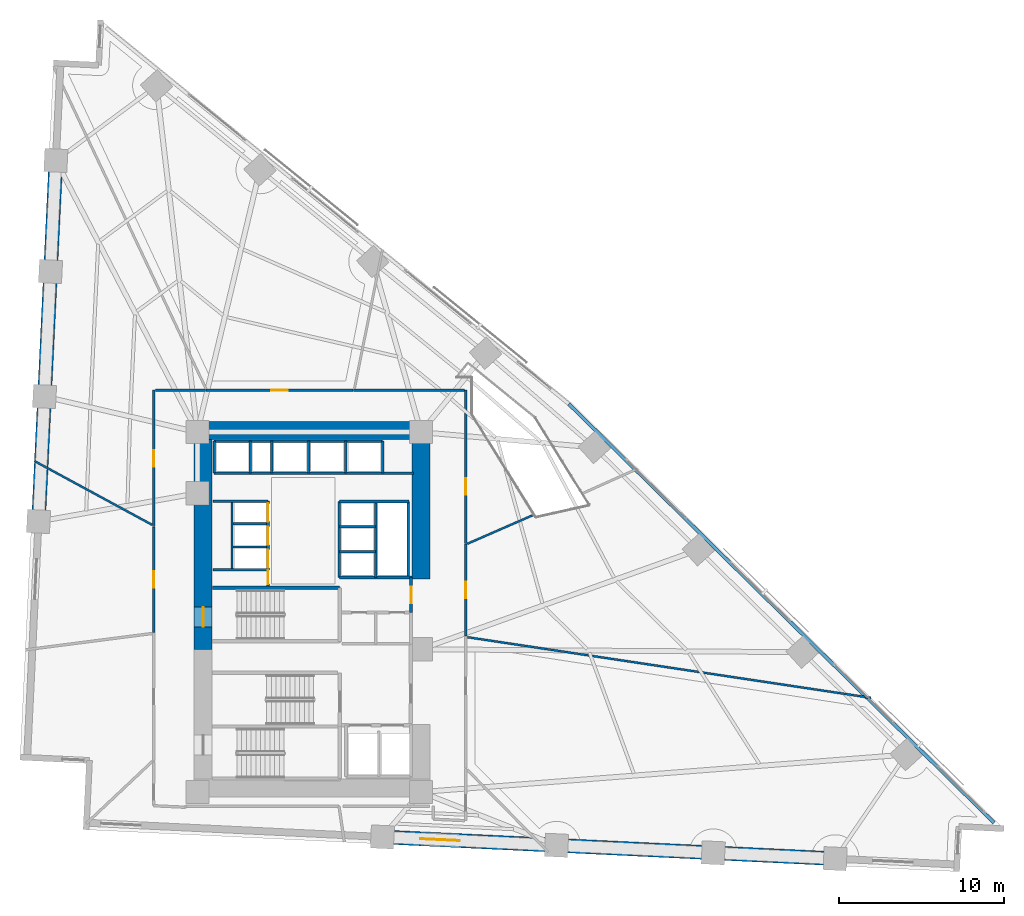
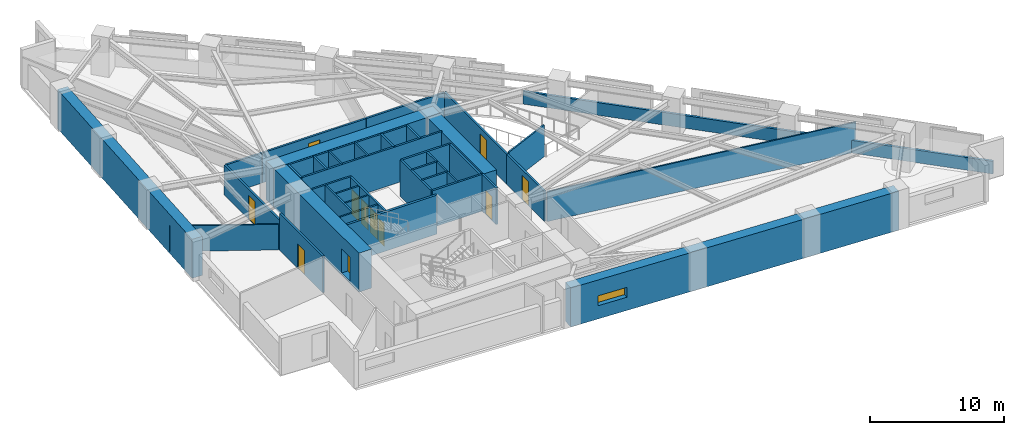
# One storey, part 14 of 17: 40 walls, 11 doors, 1 window, 12 openings.
"""IFC4 building model written with IfcOpenShell, lengths in metres."""

from ifc_helpers import new_model, si_unit, direction, frame, frame_2d, origin, place, context, subcontext, project, spatial, rectangle, extrude, material, layer, layer_set, type_object, element, fill, save


model = new_model("IFC4")

# Units and contexts
model_context = context("Model", 3, precision=1e-05, world=origin(), true_north=direction((0.0, 1.0)))
body_context = subcontext(model_context, "Body", "Model", "MODEL_VIEW")
ifc_project = project(units=[si_unit("LENGTHUNIT", "METRE"), si_unit("AREAUNIT", "SQUARE_METRE"), si_unit("VOLUMEUNIT", "CUBIC_METRE"), si_unit("PLANEANGLEUNIT", "RADIAN"), si_unit("MASSUNIT", "GRAM", prefix="KILO")], contexts=[model_context])

# Site, building, storey
site_placement = place(None, origin())
site = spatial("IfcSite", under=ifc_project, at=site_placement, CompositionType="ELEMENT")
building_placement = place(site_placement, origin())
building = spatial("IfcBuilding", under=site, at=building_placement, Name="Narakoshi Arena Tower", CompositionType="ELEMENT")
storey_placement = place(building_placement, frame((0.0, 0.0, 33.89990234375)))
storey = spatial("IfcBuildingStorey", under=building, at=storey_placement, Name="L08", CompositionType="ELEMENT", Elevation=33.89990234375)

# Wall, opening, door
ifc_material_1 = material(Name="Concrete C60/75", Category="concrete")
ifc_layer_1 = layer(ifc_material_1, 1.10009765625)
ifc_layer_set_1 = layer_set([ifc_layer_1], Name="Concrete C60/75")
wall_type_1 = type_object("IfcWallType", Name="WL-CORE-1100", PredefinedType="SHEAR", material=ifc_layer_set_1)
wall_1_placement = place(storey_placement, frame((72.35009765625, 43.35009765625, -0.199951171875), z_axis=(0.0, 0.0, 1.0), x_axis=(0.0, 1.0, 0.0)))
wall_1 = element("IfcWall", 1, at=wall_1_placement, inside=storey, type_object=wall_type_1, Name="L08 Main Core Shear Wall CW-MN-W", PredefinedType="SHEAR", context=body_context, shape_type="SweptSolid", body=[
    extrude(rectangle(XDim=12.699951171875, YDim=1.10009765625, at=frame_2d((6.35009765625, 0.0))), origin(), (0.0, 0.0, 1.0), 3.5400390625),
])
opening_1_placement = place(wall_1_placement, frame((1.35009765625, 0.0, 0.199951171875)))
opening_1 = element("IfcOpeningElement", 2, at=opening_1_placement, cuts=wall_1, Name="Opening D-03", PredefinedType="OPENING", context=body_context, shape_type="SweptSolid", body=[
    extrude(rectangle(XDim=1.199951171875, YDim=2.199951171875, at=frame_2d((0.60009765625, 1.10009765625))), frame((0.0, 0.56005859375, 0.0), z_axis=(0.0, -1.0, 0.0), x_axis=(1.0, 0.0, 0.0)), (0.0, 0.0, 1.0), 1.1201171875),
])
ifc_material_2 = material(Name="Painted galvanized steel", Category="steel")
door_type_1 = type_object("IfcDoorType", Name="DR-STR-1200", OperationType="NOTDEFINED", PredefinedType="USERDEFINED", material=ifc_material_2)
door_1_placement = place(opening_1_placement, frame((1.199951171875, 0.0, 0.0), z_axis=(0.0, 0.0, 1.0), x_axis=(-1.0, 0.0, 0.0)))
door_1 = element("IfcDoor", 3, at=door_1_placement, inside=storey, type_object=door_type_1, Name="DR-L08-006", ObjectType="EXITDOOR", OperationType="SINGLE_SWING_LEFT", OverallHeight=2.199951171875, OverallWidth=1.199951171875, PredefinedType="USERDEFINED", context=body_context, shape_type="SweptSolid", body=[
    extrude(rectangle(XDim=1.199951171875, YDim=2.199951171875, at=frame_2d((0.60009765625, 1.10009765625))), frame((0.0, 0.02490234375, 0.0), z_axis=(0.0, -1.0, 0.0), x_axis=(1.0, 0.0, 0.0)), (0.0, 0.0, 1.0), 0.050048828125),
])
fill(opening_1, door_1)

# Walls
wall_2_placement = place(storey_placement, frame((71.800048828125, 56.60009765625, -0.199951171875), z_axis=(0.0, 0.0, 1.0), x_axis=(1.0, 0.0, 0.0)))
element("IfcWall", 4, at=wall_2_placement, inside=storey, type_object=wall_type_1, Name="L08 Main Core Shear Wall CW-MN-N", PredefinedType="SHEAR", context=body_context, shape_type="SweptSolid", body=[
    extrude(rectangle(XDim=14.300048828125, YDim=1.10009765625, at=frame_2d((7.14990234375, 0.0))), origin(), (0.0, 0.0, 1.0), 3.5400390625),
])
wall_3_placement = place(storey_placement, frame((85.550048828125, 47.60009765625, -0.199951171875), z_axis=(0.0, 0.0, 1.0), x_axis=(0.0, 1.0, 0.0)))
element("IfcWall", 5, at=wall_3_placement, inside=storey, type_object=wall_type_1, Name="L08 Main Core Shear Wall CW-MN-E", PredefinedType="SHEAR", context=body_context, shape_type="SweptSolid", body=[
    extrude(rectangle(XDim=8.449951171875, YDim=1.10009765625, at=frame_2d((4.22509765625, 0.0))), origin(), (0.0, 0.0, 1.0), 3.5400390625),
])

# Wall, opening, door
ifc_material_3 = material(Name="Gypsum plasterboard fire-rated partition")
ifc_layer_2 = layer(ifc_material_3, 0.1650390625)
ifc_layer_set_2 = layer_set([ifc_layer_2], Name="Gypsum plasterboard fire-rated partition")
wall_type_2 = type_object("IfcWallType", Name="WL-CORR-165", PredefinedType="PARTITIONING", material=ifc_layer_set_2)
wall_4_placement = place(storey_placement, frame((84.949951171875, 45.580078125, 0.0), z_axis=(0.0, 0.0, 1.0), x_axis=(0.0, 1.0, 0.0)))
wall_4 = element("IfcWall", 6, at=wall_4_placement, inside=storey, type_object=wall_type_2, Name="L08 Core Wall CPAS-E", PredefinedType="PARTITIONING", context=body_context, shape_type="SweptSolid", body=[
    extrude(rectangle(XDim=2.119873046875, YDim=0.1650390625, at=frame_2d((1.06005859375, 0.0))), origin(), (0.0, 0.0, 1.0), 3.340087890625),
])
opening_2_placement = place(wall_4_placement, frame((0.56005859375, 0.0, 0.0)))
opening_2 = element("IfcOpeningElement", 7, at=opening_2_placement, cuts=wall_4, Name="Opening D-06", PredefinedType="OPENING", context=body_context, shape_type="SweptSolid", body=[
    extrude(rectangle(XDim=1.0, YDim=2.199951171875, at=frame_2d((0.5, 1.10009765625))), frame((0.0, 0.092529296875, 0.0), z_axis=(0.0, -1.0, 0.0), x_axis=(1.0, 0.0, 0.0)), (0.0, 0.0, 1.0), 0.18505859375),
])
ifc_material_4 = material(Name="Stained oak solid-core timber", Category="wood")
door_type_2 = type_object("IfcDoorType", Name="DR-OFF-1000", OperationType="NOTDEFINED", PredefinedType="DOOR", material=ifc_material_4)
door_2_placement = place(opening_2_placement, frame((1.0, 0.0, 0.0), z_axis=(0.0, 0.0, 1.0), x_axis=(-1.0, 0.0, 0.0)))
door_2 = element("IfcDoor", 8, at=door_2_placement, inside=storey, type_object=door_type_2, Name="DR-L08-007", OperationType="SINGLE_SWING_LEFT", OverallHeight=2.199951171875, OverallWidth=1.0, PredefinedType="DOOR", context=body_context, shape_type="SweptSolid", body=[
    extrude(rectangle(XDim=1.0, YDim=2.199951171875, at=frame_2d((0.5, 1.10009765625))), frame((0.0, 0.02490234375, 0.0), z_axis=(0.0, -1.0, 0.0), x_axis=(1.0, 0.0, 0.0)), (0.0, 0.0, 1.0), 0.050048828125),
])
fill(opening_2, door_2)

wall_5_placement = place(storey_placement, frame((88.265625, 44.1552734375, 0.0), z_axis=(0.0, 0.0, 1.0), x_axis=(0.0, 1.0, 0.0)))
wall_5 = element("IfcWall", 9, at=wall_5_placement, inside=storey, type_object=wall_type_2, Name="L08 Corridor Partition 05-1", PredefinedType="PARTITIONING", context=body_context, shape_type="SweptSolid", body=[
    extrude(rectangle(XDim=5.576904296875, YDim=0.1650390625, at=frame_2d((2.78857421875, 0.0))), origin(), (0.0, 0.0, 1.0), 2.72509765625),
])
opening_3_placement = place(wall_5_placement, frame((2.28857421875, 0.0, 0.0)))
opening_3 = element("IfcOpeningElement", 10, at=opening_3_placement, cuts=wall_5, Name="Opening D-06", PredefinedType="OPENING", context=body_context, shape_type="SweptSolid", body=[
    extrude(rectangle(XDim=1.0, YDim=2.199951171875, at=frame_2d((0.5, 1.10009765625))), frame((0.0, 0.092529296875, 0.0), z_axis=(0.0, -1.0, 0.0), x_axis=(1.0, 0.0, 0.0)), (0.0, 0.0, 1.0), 0.18505859375),
])
door_3_placement = place(opening_3_placement, frame((1.0, 0.0, 0.0), z_axis=(0.0, 0.0, 1.0), x_axis=(-1.0, 0.0, 0.0)))
door_3 = element("IfcDoor", 11, at=door_3_placement, inside=storey, type_object=door_type_2, Name="DR-L08-018", OperationType="SINGLE_SWING_RIGHT", OverallHeight=2.199951171875, OverallWidth=1.0, PredefinedType="DOOR", context=body_context, shape_type="SweptSolid", body=[
    extrude(rectangle(XDim=1.0, YDim=2.199951171875, at=frame_2d((0.5, 1.10009765625))), frame((0.0, 0.02490234375, 0.0), z_axis=(0.0, -1.0, 0.0), x_axis=(1.0, 0.0, 0.0)), (0.0, 0.0, 1.0), 0.050048828125),
])
fill(opening_3, door_3)

wall_6_placement = place(storey_placement, frame((88.265625, 49.75830078125, 0.0), z_axis=(0.0, 0.0, 1.0), x_axis=(0.0, 1.0, 0.0)))
wall_6 = element("IfcWall", 12, at=wall_6_placement, inside=storey, type_object=wall_type_2, Name="L08 Corridor Partition 06-1", PredefinedType="PARTITIONING", context=body_context, shape_type="SweptSolid", body=[
    extrude(rectangle(XDim=9.2841796875, YDim=0.1650390625, at=frame_2d((4.64208984375, 0.0))), origin(), (0.0, 0.0, 1.0), 2.72509765625),
])
opening_4_placement = place(wall_6_placement, frame((2.95947265625, 0.0, 0.0)))
opening_4 = element("IfcOpeningElement", 13, at=opening_4_placement, cuts=wall_6, Name="Opening D-06", PredefinedType="OPENING", context=body_context, shape_type="SweptSolid", body=[
    extrude(rectangle(XDim=1.0, YDim=2.199951171875, at=frame_2d((0.5, 1.10009765625))), frame((0.0, 0.092529296875, 0.0), z_axis=(0.0, -1.0, 0.0), x_axis=(1.0, 0.0, 0.0)), (0.0, 0.0, 1.0), 0.18505859375),
])
door_4_placement = place(opening_4_placement, frame((1.0, 0.0, 0.0), z_axis=(0.0, 0.0, 1.0), x_axis=(-1.0, 0.0, 0.0)))
door_4 = element("IfcDoor", 14, at=door_4_placement, inside=storey, type_object=door_type_2, Name="DR-L08-019", OperationType="SINGLE_SWING_LEFT", OverallHeight=2.199951171875, OverallWidth=1.0, PredefinedType="DOOR", context=body_context, shape_type="SweptSolid", body=[
    extrude(rectangle(XDim=1.0, YDim=2.199951171875, at=frame_2d((0.5, 1.10009765625))), frame((0.0, 0.02490234375, 0.0), z_axis=(0.0, -1.0, 0.0), x_axis=(1.0, 0.0, 0.0)), (0.0, 0.0, 1.0), 0.050048828125),
])
fill(opening_4, door_4)

# Wall
wall_7_placement = place(storey_placement, frame((88.171142578125, 59.04248046875, 0.0), z_axis=(0.0, 0.0, 1.0), x_axis=(-1.0, 0.0, 0.0)))
element("IfcWall", 15, at=wall_7_placement, inside=storey, type_object=wall_type_2, Name="L08 Corridor Partition 06-2", PredefinedType="PARTITIONING", context=body_context, shape_type="SweptSolid", body=[
    extrude(rectangle(XDim=6.70947265625, YDim=0.1650390625, at=frame_2d((3.354736328125, 0.0))), origin(), (0.0, 0.0, 1.0), 2.72509765625),
])

# Wall, opening, door
wall_8_placement = place(storey_placement, frame((81.437255859375, 59.04248046875, 0.0), z_axis=(0.0, 0.0, 1.0), x_axis=(-1.0, 0.0, 0.0)))
wall_8 = element("IfcWall", 16, at=wall_8_placement, inside=storey, type_object=wall_type_2, Name="L08 Corridor Partition 07-1", PredefinedType="PARTITIONING", context=body_context, shape_type="SweptSolid", body=[
    extrude(rectangle(XDim=8.90673828125, YDim=0.1650390625, at=frame_2d((4.453369140625, 0.0))), origin(), (0.0, 0.0, 1.0), 2.72509765625),
])
opening_5_placement = place(wall_8_placement, frame((3.953369140625, 0.0, 0.0)))
opening_5 = element("IfcOpeningElement", 17, at=opening_5_placement, cuts=wall_8, Name="Opening D-06", PredefinedType="OPENING", context=body_context, shape_type="SweptSolid", body=[
    extrude(rectangle(XDim=1.0, YDim=2.199951171875, at=frame_2d((0.5, 1.10009765625))), frame((0.0, 0.092529296875, 0.0), z_axis=(0.0, -1.0, 0.0), x_axis=(1.0, 0.0, 0.0)), (0.0, 0.0, 1.0), 0.18505859375),
])
door_5_placement = place(opening_5_placement, frame((1.0, 0.0, 0.0), z_axis=(0.0, 0.0, 1.0), x_axis=(-1.0, 0.0, 0.0)))
door_5 = element("IfcDoor", 18, at=door_5_placement, inside=storey, type_object=door_type_2, Name="DR-L08-020", OperationType="SINGLE_SWING_RIGHT", OverallHeight=2.199951171875, OverallWidth=1.0, PredefinedType="DOOR", context=body_context, shape_type="SweptSolid", body=[
    extrude(rectangle(XDim=1.0, YDim=2.199951171875, at=frame_2d((0.5, 1.10009765625))), frame((0.0, 0.02490234375, 0.0), z_axis=(0.0, -1.0, 0.0), x_axis=(1.0, 0.0, 0.0)), (0.0, 0.0, 1.0), 0.050048828125),
])
fill(opening_5, door_5)

wall_9_placement = place(storey_placement, frame((69.357421875, 59.04248046875, 0.0), z_axis=(0.0, 0.0, 1.0), x_axis=(0.0, -1.0, 0.0)))
wall_9 = element("IfcWall", 19, at=wall_9_placement, inside=storey, type_object=wall_type_2, Name="L08 Corridor Partition 08-1", PredefinedType="PARTITIONING", context=body_context, shape_type="SweptSolid", body=[
    extrude(rectangle(XDim=8.24853515625, YDim=0.1650390625, at=frame_2d((4.124267578125, 0.0))), origin(), (0.0, 0.0, 1.0), 2.72509765625),
])
opening_6_placement = place(wall_9_placement, frame((3.624267578125, 0.0, 0.0)))
opening_6 = element("IfcOpeningElement", 20, at=opening_6_placement, cuts=wall_9, Name="Opening D-06", PredefinedType="OPENING", context=body_context, shape_type="SweptSolid", body=[
    extrude(rectangle(XDim=1.0, YDim=2.199951171875, at=frame_2d((0.5, 1.10009765625))), frame((0.0, 0.092529296875, 0.0), z_axis=(0.0, -1.0, 0.0), x_axis=(1.0, 0.0, 0.0)), (0.0, 0.0, 1.0), 0.18505859375),
])
door_6_placement = place(opening_6_placement, frame((1.0, 0.0, 0.0), z_axis=(0.0, 0.0, 1.0), x_axis=(-1.0, 0.0, 0.0)))
door_6 = element("IfcDoor", 21, at=door_6_placement, inside=storey, type_object=door_type_2, Name="DR-L08-021", OperationType="SINGLE_SWING_LEFT", OverallHeight=2.199951171875, OverallWidth=1.0, PredefinedType="DOOR", context=body_context, shape_type="SweptSolid", body=[
    extrude(rectangle(XDim=1.0, YDim=2.199951171875, at=frame_2d((0.5, 1.10009765625))), frame((0.0, 0.02490234375, 0.0), z_axis=(0.0, -1.0, 0.0), x_axis=(1.0, 0.0, 0.0)), (0.0, 0.0, 1.0), 0.050048828125),
])
fill(opening_6, door_6)

# Wall
wall_10_placement = place(storey_placement, frame((72.504150390625, 59.04248046875, 0.0), z_axis=(0.0, 0.0, 1.0), x_axis=(-1.0, 0.0, 0.0)))
element("IfcWall", 22, at=wall_10_placement, inside=storey, type_object=wall_type_2, Name="L08 Corridor Partition 08-2", PredefinedType="PARTITIONING", context=body_context, shape_type="SweptSolid", body=[
    extrude(rectangle(XDim=3.05224609375, YDim=0.1650390625, at=frame_2d((1.526123046875, 0.0))), origin(), (0.0, 0.0, 1.0), 2.72509765625),
])

# Wall, opening, door
wall_11_placement = place(storey_placement, frame((69.357421875, 50.7666015625, 0.0), z_axis=(0.0, 0.0, 1.0), x_axis=(0.0, -1.0, 0.0)))
wall_11 = element("IfcWall", 23, at=wall_11_placement, inside=storey, type_object=wall_type_2, Name="L08 Corridor Partition 09-1", PredefinedType="PARTITIONING", context=body_context, shape_type="SweptSolid", body=[
    extrude(rectangle(XDim=6.38916015625, YDim=0.1650390625, at=frame_2d((3.194580078125, 0.0))), origin(), (0.0, 0.0, 1.0), 3.340087890625),
])
opening_7_placement = place(wall_11_placement, frame((2.694580078125, 0.0, 0.0)))
opening_7 = element("IfcOpeningElement", 24, at=opening_7_placement, cuts=wall_11, Name="Opening D-06", PredefinedType="OPENING", context=body_context, shape_type="SweptSolid", body=[
    extrude(rectangle(XDim=1.0, YDim=2.199951171875, at=frame_2d((0.5, 1.10009765625))), frame((0.0, 0.092529296875, 0.0), z_axis=(0.0, -1.0, 0.0), x_axis=(1.0, 0.0, 0.0)), (0.0, 0.0, 1.0), 0.18505859375),
])
door_7_placement = place(opening_7_placement, frame((1.0, 0.0, 0.0), z_axis=(0.0, 0.0, 1.0), x_axis=(-1.0, 0.0, 0.0)))
door_7 = element("IfcDoor", 25, at=door_7_placement, inside=storey, type_object=door_type_2, Name="DR-L08-022", OperationType="SINGLE_SWING_RIGHT", OverallHeight=2.199951171875, OverallWidth=1.0, PredefinedType="DOOR", context=body_context, shape_type="SweptSolid", body=[
    extrude(rectangle(XDim=1.0, YDim=2.199951171875, at=frame_2d((0.5, 1.10009765625))), frame((0.0, 0.02490234375, 0.0), z_axis=(0.0, -1.0, 0.0), x_axis=(1.0, 0.0, 0.0)), (0.0, 0.0, 1.0), 0.050048828125),
])
fill(opening_7, door_7)

# Wall, opening, window
ifc_layer_3 = layer(ifc_material_1, 0.85009765625)
ifc_layer_set_3 = layer_set([ifc_layer_3], Name="Concrete C60/75")
wall_type_3 = type_object("IfcWallType", Name="WL-LEG-850", PredefinedType="SHEAR", material=ifc_layer_set_3)
wall_12_placement = place(storey_placement, frame((83.2119140625, 31.979248046875, -0.199951171875), z_axis=(0.0, 0.0, 1.0), x_axis=(0.998848235141, -0.047981279227, 0.0)))
wall_12 = element("IfcWall", 26, at=wall_12_placement, inside=storey, type_object=wall_type_3, Name="L08 Architectural Concrete Structural Wall LEGA-2", PredefinedType="SHEAR", context=body_context, shape_type="SweptSolid", body=[
    extrude(rectangle(XDim=27.456298828125, YDim=0.85009765625, at=frame_2d((13.72802734375, 0.0))), origin(), (0.0, 0.0, 1.0), 3.5400390625),
])
opening_8_placement = place(wall_12_placement, frame((2.300048828125, 0.0, 1.199951171875)))
opening_8 = element("IfcOpeningElement", 27, at=opening_8_placement, cuts=wall_12, Name="Opening WN-01", PredefinedType="OPENING", context=body_context, shape_type="SweptSolid", body=[
    extrude(rectangle(XDim=2.39990234375, YDim=0.89990234375, at=frame_2d((1.199951171875, 0.449951171875))), frame((0.0, 0.43505859375, 0.0), z_axis=(0.0, -1.0, 0.0), x_axis=(1.0, 0.0, 0.0)), (0.0, 0.0, 1.0), 0.8701171875),
])
ifc_material_5 = material(Name="Bronze-tinted low-E laminated glass", Category="glass")
window_type = type_object("IfcWindowType", Name="WIN-SLT-24x09", PartitioningType="SINGLE_PANEL", PredefinedType="WINDOW", material=ifc_material_5)
window_placement = place(opening_8_placement, origin())
window = element("IfcWindow", 28, at=window_placement, inside=storey, type_object=window_type, Name="L08 LEGA2 Horizontal Slot Window 1", OverallHeight=0.89990234375, OverallWidth=2.39990234375, PartitioningType="SINGLE_PANEL", PredefinedType="WINDOW", context=body_context, shape_type="SweptSolid", body=[
    extrude(rectangle(XDim=2.39990234375, YDim=0.89990234375, at=frame_2d((1.199951171875, 0.449951171875))), frame((0.0, 0.030029296875, 0.0), z_axis=(0.0, -1.0, 0.0), x_axis=(1.0, 0.0, 0.0)), (0.0, 0.0, 1.0), 0.06005859375),
])
fill(opening_8, window)

# Walls
wall_13_placement = place(storey_placement, frame((63.42822265625, 72.95654296875, -0.199951171875), z_axis=(0.0, 0.0, 1.0), x_axis=(-0.047976309476, -0.998848473858, 0.0)))
element("IfcWall", 29, at=wall_13_placement, inside=storey, type_object=wall_type_3, Name="L08 Architectural Concrete Structural Wall LEGB-2", PredefinedType="SHEAR", context=body_context, shape_type="SweptSolid", body=[
    extrude(rectangle(XDim=21.891845703125, YDim=0.85009765625, at=frame_2d((10.94580078125, 0.0))), origin(), (0.0, 0.0, 1.0), 3.5400390625),
])
ifc_material_6 = material(Name="Precast concrete C45/55", Category="concrete")
ifc_layer_4 = layer(ifc_material_6, 0.25)
ifc_layer_set_4 = layer_set([ifc_layer_4], Name="Precast concrete C45/55")
wall_type_4 = type_object("IfcWallType", Name="WL-PARA-250", PredefinedType="PARAPET", material=ifc_layer_set_4)
wall_14_placement = place(storey_placement, frame((120.254150390625, 32.847900390625, 0.0), z_axis=(0.0, 0.0, 1.0), x_axis=(-0.71254385441, 0.701627576099, 0.0)))
element("IfcWall", 30, at=wall_14_placement, inside=storey, type_object=wall_type_4, Name="L08 Hypotenuse Sill Upstand Parapet 1-01", PredefinedType="PARAPET", context=body_context, shape_type="SweptSolid", body=[
    extrude(rectangle(XDim=36.1416015625, YDim=0.199951171875, at=frame_2d((18.07080078125, 0.0))), origin(), (0.0, 0.0, 1.0), 1.150146484375),
])
ifc_layer_5 = layer(ifc_material_3, 0.125)
ifc_layer_set_5 = layer_set([ifc_layer_5], Name="Gypsum plasterboard fire-rated partition")
wall_type_5 = type_object("IfcWallType", Name="WL-PART-125", PredefinedType="PARTITIONING", material=ifc_layer_set_5)
wall_15_placement = place(storey_placement, frame((88.360107421875, 44.080322265625, 0.0), z_axis=(0.0, 0.0, 1.0), x_axis=(0.988906339376, -0.148540405084, 0.0)))
element("IfcWall", 31, at=wall_15_placement, inside=storey, type_object=wall_type_5, Name="L08 Inter-Room Partition 04-05", PredefinedType="PARTITIONING", context=body_context, shape_type="SweptSolid", body=[
    extrude(rectangle(XDim=24.718017578125, YDim=0.125, at=frame_2d((12.35888671875, 0.0))), origin(), (0.0, 0.0, 1.0), 2.72509765625),
])
wall_16_placement = place(storey_placement, frame((88.343017578125, 49.732177734375, 0.0), z_axis=(0.0, 0.0, 1.0), x_axis=(0.916407797911, 0.40024585935, 0.0)))
element("IfcWall", 32, at=wall_16_placement, inside=storey, type_object=wall_type_5, Name="L08 Inter-Room Partition 05-06", PredefinedType="PARTITIONING", context=body_context, shape_type="SweptSolid", body=[
    extrude(rectangle(XDim=4.404052734375, YDim=0.125, at=frame_2d((2.2021484375, 0.0))), origin(), (0.0, 0.0, 1.0), 2.875),
])
wall_17_placement = place(storey_placement, frame((69.262939453125, 50.88623046875, 0.0), z_axis=(0.0, 0.0, 1.0), x_axis=(-0.879129707002, 0.47658258284, 0.0)))
element("IfcWall", 33, at=wall_17_placement, inside=storey, type_object=wall_type_5, Name="L08 Inter-Room Partition 08-09", PredefinedType="PARTITIONING", context=body_context, shape_type="SweptSolid", body=[
    extrude(rectangle(XDim=8.115478515625, YDim=0.125, at=frame_2d((4.0576171875, 0.0))), origin(), (0.0, 0.0, 1.0), 2.3251953125),
])
ifc_material_7 = material(Name="Concrete C40/50", Category="concrete")
ifc_layer_6 = layer(ifc_material_7, 0.280029296875)
ifc_layer_set_6 = layer_set([ifc_layer_6], Name="Concrete C40/50")
wall_type_6 = type_object("IfcWallType", Name="WL-RISER-280", PredefinedType="PLUMBINGWALL", material=ifc_layer_set_6)
wall_18_placement = place(storey_placement, frame((72.949951171875, 48.159912109375, 0.0), z_axis=(0.0, 0.0, 1.0), x_axis=(1.0, 0.0, 0.0)))
element("IfcWall", 34, at=wall_18_placement, inside=storey, type_object=wall_type_6, Name="L08 Core Wall LR-S0", PredefinedType="PLUMBINGWALL", context=body_context, shape_type="SweptSolid", body=[
    extrude(rectangle(XDim=3.239990234375, YDim=0.139892578125, at=frame_2d((1.6201171875, 0.0))), origin(), (0.0, 0.0, 1.0), 3.340087890625),
])
for number, where, z_axis, x_axis, name in (
    (35, (74.14990234375, 49.550048828125, 0.0), (0.0, 0.0, 1.0), (1.0, 0.0, 0.0), "L08 Core Wall LR-D1"),
    (36, (74.14990234375, 50.949951171875, 0.0), (0.0, 0.0, 1.0), (1.0, 0.0, 0.0), "L08 Core Wall LR-D2"),
):
    element("IfcWall", number, at=place(storey_placement, frame(where, z_axis=z_axis, x_axis=x_axis)), inside=storey, type_object=wall_type_6, Name=name, PredefinedType="PLUMBINGWALL", context=body_context, shape_type="SweptSolid", body=[
        extrude(rectangle(XDim=2.0400390625, YDim=0.139892578125, at=frame_2d((1.02001953125, 0.0))), origin(), (0.0, 0.0, 1.0), 3.340087890625),
    ])
wall_19_placement = place(storey_placement, frame((74.10009765625, 48.159912109375, 0.0), z_axis=(0.0, 0.0, 1.0), x_axis=(0.0, 1.0, 0.0)))
element("IfcWall", 37, at=wall_19_placement, inside=storey, type_object=wall_type_6, Name="L08 Core Wall LR-W", PredefinedType="PLUMBINGWALL", context=body_context, shape_type="SweptSolid", body=[
    extrude(rectangle(XDim=4.16015625, YDim=0.139892578125, at=frame_2d((2.080078125, 0.0))), origin(), (0.0, 0.0, 1.0), 3.340087890625),
])
for number, where, z_axis, x_axis, name in (
    (38, (80.60009765625, 49.260009765625, 0.0), (0.0, 0.0, 1.0), (1.0, 0.0, 0.0), "L08 Core Wall MR-D1"),
    (39, (80.60009765625, 50.780029296875, 0.0), (0.0, 0.0, 1.0), (1.0, 0.0, 0.0), "L08 Core Wall MR-D2"),
):
    element("IfcWall", number, at=place(storey_placement, frame(where, z_axis=z_axis, x_axis=x_axis)), inside=storey, type_object=wall_type_6, Name=name, PredefinedType="PLUMBINGWALL", context=body_context, shape_type="SweptSolid", body=[
        extrude(rectangle(XDim=2.199951171875, YDim=0.14990234375, at=frame_2d((1.10009765625, 0.0))), origin(), (0.0, 0.0, 1.0), 3.340087890625),
    ])
wall_20_placement = place(storey_placement, frame((82.800048828125, 47.699951171875, 0.0), z_axis=(0.0, 0.0, 1.0), x_axis=(0.0, 1.0, 0.0)))
element("IfcWall", 40, at=wall_20_placement, inside=storey, type_object=wall_type_6, Name="L08 Core Wall MR-E", PredefinedType="PLUMBINGWALL", context=body_context, shape_type="SweptSolid", body=[
    extrude(rectangle(XDim=4.60009765625, YDim=0.14990234375, at=frame_2d((2.300048828125, 0.0))), origin(), (0.0, 0.0, 1.0), 3.340087890625),
])
for number, where, z_axis, x_axis, name in (
    (41, (73.02001953125, 54.02001953125, 0.0), (0.0, 0.0, 1.0), (0.0, 1.0, 0.0), "L08 Core Wall OBS-W"),
    (42, (75.219970703125, 54.02001953125, 0.0), (0.0, 0.0, 1.0), (0.0, 1.0, 0.0), "L08 Core Wall OBS-M"),
):
    element("IfcWall", number, at=place(storey_placement, frame(where, z_axis=z_axis, x_axis=x_axis)), inside=storey, type_object=wall_type_6, Name=name, PredefinedType="PLUMBINGWALL", context=body_context, shape_type="SweptSolid", body=[
        extrude(rectangle(XDim=1.93994140625, YDim=0.14990234375, at=frame_2d((0.969970703125, 0.0))), origin(), (0.0, 0.0, 1.0), 3.340087890625),
    ])
for number, where, z_axis, x_axis, name in (
    (43, (78.75, 54.02001953125, 0.0), (0.0, 0.0, 1.0), (0.0, 1.0, 0.0), "L08 Core Wall HR-D1"),
    (44, (81.0, 54.02001953125, 0.0), (0.0, 0.0, 1.0), (0.0, 1.0, 0.0), "L08 Core Wall HR-D2"),
):
    element("IfcWall", number, at=place(storey_placement, frame(where, z_axis=z_axis, x_axis=x_axis)), inside=storey, type_object=wall_type_6, Name=name, PredefinedType="PLUMBINGWALL", context=body_context, shape_type="SweptSolid", body=[
        extrude(rectangle(XDim=1.9599609375, YDim=0.14990234375, at=frame_2d((0.97998046875, 0.0))), origin(), (0.0, 0.0, 1.0), 3.340087890625),
    ])
ifc_material_8 = material(Name="Concrete C50/60", Category="concrete")
ifc_layer_7 = layer(ifc_material_8, 0.35009765625)
ifc_layer_set_7 = layer_set([ifc_layer_7], Name="Concrete C50/60")
wall_type_7 = type_object("IfcWallType", Name="WL-SHAFT-350", PredefinedType="SOLIDWALL", material=ifc_layer_set_7)
wall_21_placement = place(storey_placement, frame((72.919921875, 47.070068359375, -0.199951171875), z_axis=(0.0, 0.0, 1.0), x_axis=(1.0, 0.0, 0.0)))
element("IfcWall", 45, at=wall_21_placement, inside=storey, type_object=wall_type_7, Name="L08 Core Wall ST3-N", PredefinedType="SOLIDWALL", context=body_context, shape_type="SweptSolid", body=[
    extrude(rectangle(XDim=7.7001953125, YDim=0.199951171875, at=frame_2d((3.85009765625, 0.0))), origin(), (0.0, 0.0, 1.0), 3.5400390625),
])

# Wall, openings, doors
wall_22_placement = place(storey_placement, frame((76.280029296875, 47.179931640625, 0.0), z_axis=(0.0, 0.0, 1.0), x_axis=(0.0, 1.0, 0.0)))
wall_22 = element("IfcWall", 46, at=wall_22_placement, inside=storey, type_object=wall_type_7, Name="L08 Core Wall LR-E", PredefinedType="SOLIDWALL", context=body_context, shape_type="SweptSolid", body=[
    extrude(rectangle(XDim=5.14013671875, YDim=0.159912109375, at=frame_2d((2.570068359375, 0.0))), origin(), (0.0, 0.0, 1.0), 3.340087890625),
])
opening_9_placement = place(wall_22_placement, frame((1.10009765625, 0.0, 0.0)))
opening_9 = element("IfcOpeningElement", 47, at=opening_9_placement, cuts=wall_22, Name="Opening LD-01", PredefinedType="OPENING", context=body_context, shape_type="SweptSolid", body=[
    extrude(rectangle(XDim=1.10009765625, YDim=2.25, at=frame_2d((0.550048828125, 1.125))), frame((0.0, 0.08984375, 0.0), z_axis=(0.0, -1.0, 0.0), x_axis=(1.0, 0.0, 0.0)), (0.0, 0.0, 1.0), 0.179931640625),
])
opening_10_placement = place(wall_22_placement, frame((2.5, 0.0, 0.0)))
opening_10 = element("IfcOpeningElement", 48, at=opening_10_placement, cuts=wall_22, Name="Opening LD-01", PredefinedType="OPENING", context=body_context, shape_type="SweptSolid", body=[
    extrude(rectangle(XDim=1.10009765625, YDim=2.25, at=frame_2d((0.550048828125, 1.125))), frame((0.0, 0.08984375, 0.0), z_axis=(0.0, -1.0, 0.0), x_axis=(1.0, 0.0, 0.0)), (0.0, 0.0, 1.0), 0.179931640625),
])
opening_11_placement = place(wall_22_placement, frame((3.89990234375, 0.0, 0.0)))
opening_11 = element("IfcOpeningElement", 49, at=opening_11_placement, cuts=wall_22, Name="Opening LD-01", PredefinedType="OPENING", context=body_context, shape_type="SweptSolid", body=[
    extrude(rectangle(XDim=1.10009765625, YDim=2.25, at=frame_2d((0.550048828125, 1.125))), frame((0.0, 0.08984375, 0.0), z_axis=(0.0, -1.0, 0.0), x_axis=(1.0, 0.0, 0.0)), (0.0, 0.0, 1.0), 0.179931640625),
])
opening_12_placement = place(wall_22_placement, frame((0.1201171875, 0.0, 0.0)))
opening_12 = element("IfcOpeningElement", 50, at=opening_12_placement, cuts=wall_22, Name="Opening D-10", PredefinedType="OPENING", context=body_context, shape_type="SweptSolid", body=[
    extrude(rectangle(XDim=0.85009765625, YDim=2.050048828125, at=frame_2d((0.425048828125, 1.02490234375))), frame((0.0, 0.08984375, 0.0), z_axis=(0.0, -1.0, 0.0), x_axis=(1.0, 0.0, 0.0)), (0.0, 0.0, 1.0), 0.179931640625),
])
ifc_material_9 = material(Name="Brushed bronze stainless steel", Category="steel")
door_type_3 = type_object("IfcDoorType", Name="DR-LFT-1100", OperationType="DOUBLE_DOOR_SLIDING", PredefinedType="DOOR", material=ifc_material_9)
door_8_placement = place(opening_9_placement, origin())
door_8 = element("IfcDoor", 51, at=door_8_placement, inside=storey, type_object=door_type_3, Name="DR-L08-010", OperationType="DOUBLE_DOOR_SLIDING", OverallHeight=2.25, OverallWidth=1.10009765625, PredefinedType="DOOR", context=body_context, shape_type="SweptSolid", body=[
    extrude(rectangle(XDim=1.10009765625, YDim=2.25, at=frame_2d((0.550048828125, 1.125))), frame((0.0, 0.02490234375, 0.0), z_axis=(0.0, -1.0, 0.0), x_axis=(1.0, 0.0, 0.0)), (0.0, 0.0, 1.0), 0.050048828125),
])
fill(opening_9, door_8)
door_9_placement = place(opening_10_placement, origin())
door_9 = element("IfcDoor", 52, at=door_9_placement, inside=storey, type_object=door_type_3, Name="DR-L08-011", OperationType="DOUBLE_DOOR_SLIDING", OverallHeight=2.25, OverallWidth=1.10009765625, PredefinedType="DOOR", context=body_context, shape_type="SweptSolid", body=[
    extrude(rectangle(XDim=1.10009765625, YDim=2.25, at=frame_2d((0.550048828125, 1.125))), frame((0.0, 0.02490234375, 0.0), z_axis=(0.0, -1.0, 0.0), x_axis=(1.0, 0.0, 0.0)), (0.0, 0.0, 1.0), 0.050048828125),
])
fill(opening_10, door_9)
door_10_placement = place(opening_11_placement, origin())
door_10 = element("IfcDoor", 53, at=door_10_placement, inside=storey, type_object=door_type_3, Name="DR-L08-012", OperationType="DOUBLE_DOOR_SLIDING", OverallHeight=2.25, OverallWidth=1.10009765625, PredefinedType="DOOR", context=body_context, shape_type="SweptSolid", body=[
    extrude(rectangle(XDim=1.10009765625, YDim=2.25, at=frame_2d((0.550048828125, 1.125))), frame((0.0, 0.02490234375, 0.0), z_axis=(0.0, -1.0, 0.0), x_axis=(1.0, 0.0, 0.0)), (0.0, 0.0, 1.0), 0.050048828125),
])
fill(opening_11, door_10)
door_type_4 = type_object("IfcDoorType", Name="DR-RSR-850", OperationType="NOTDEFINED", PredefinedType="DOOR", material=ifc_material_2)
door_11_placement = place(opening_12_placement, frame((0.85009765625, 0.0, 0.0), z_axis=(0.0, 0.0, 1.0), x_axis=(-1.0, 0.0, 0.0)))
door_11 = element("IfcDoor", 54, at=door_11_placement, inside=storey, type_object=door_type_4, Name="DR-L08-013", OperationType="SINGLE_SWING_LEFT", OverallHeight=2.050048828125, OverallWidth=0.85009765625, PredefinedType="DOOR", context=body_context, shape_type="SweptSolid", body=[
    extrude(rectangle(XDim=0.85009765625, YDim=2.050048828125, at=frame_2d((0.425048828125, 1.02490234375))), frame((0.0, 0.02490234375, 0.0), z_axis=(0.0, -1.0, 0.0), x_axis=(1.0, 0.0, 0.0)), (0.0, 0.0, 1.0), 0.050048828125),
])
fill(opening_12, door_11)

# Walls
wall_23_placement = place(storey_placement, frame((72.949951171875, 52.320068359375, 0.0), z_axis=(0.0, 0.0, 1.0), x_axis=(1.0, 0.0, 0.0)))
element("IfcWall", 55, at=wall_23_placement, inside=storey, type_object=wall_type_7, Name="L08 Core Wall LR-N", PredefinedType="SOLIDWALL", context=body_context, shape_type="SweptSolid", body=[
    extrude(rectangle(XDim=3.330078125, YDim=0.14990234375, at=frame_2d((1.6650390625, 0.0))), origin(), (0.0, 0.0, 1.0), 3.340087890625),
])
wall_24_placement = place(storey_placement, frame((80.60009765625, 47.699951171875, 0.0), z_axis=(0.0, 0.0, 1.0), x_axis=(0.0, 1.0, 0.0)))
element("IfcWall", 56, at=wall_24_placement, inside=storey, type_object=wall_type_7, Name="L08 Core Wall MR-W", PredefinedType="SOLIDWALL", context=body_context, shape_type="SweptSolid", body=[
    extrude(rectangle(XDim=4.60009765625, YDim=0.159912109375, at=frame_2d((2.300048828125, 0.0))), origin(), (0.0, 0.0, 1.0), 3.340087890625),
])
wall_25_placement = place(storey_placement, frame((80.60009765625, 47.699951171875, 0.0), z_axis=(0.0, 0.0, 1.0), x_axis=(1.0, 0.0, 0.0)))
element("IfcWall", 57, at=wall_25_placement, inside=storey, type_object=wall_type_7, Name="L08 Core Wall MR-S", PredefinedType="SOLIDWALL", context=body_context, shape_type="SweptSolid", body=[
    extrude(rectangle(XDim=4.39990234375, YDim=0.159912109375, at=frame_2d((2.199951171875, 0.0))), origin(), (0.0, 0.0, 1.0), 3.340087890625),
])
wall_26_placement = place(storey_placement, frame((80.60009765625, 52.300048828125, 0.0), z_axis=(0.0, 0.0, 1.0), x_axis=(1.0, 0.0, 0.0)))
element("IfcWall", 58, at=wall_26_placement, inside=storey, type_object=wall_type_7, Name="L08 Core Wall MR-N", PredefinedType="SOLIDWALL", context=body_context, shape_type="SweptSolid", body=[
    extrude(rectangle(XDim=4.219970703125, YDim=0.159912109375, at=frame_2d((2.10986328125, 0.0))), origin(), (0.0, 0.0, 1.0), 3.340087890625),
])
wall_27_placement = place(storey_placement, frame((84.780029296875, 47.699951171875, 0.0), z_axis=(0.0, 0.0, 1.0), x_axis=(0.0, 1.0, 0.0)))
element("IfcWall", 59, at=wall_27_placement, inside=storey, type_object=wall_type_7, Name="L08 Core Wall MR-E2", PredefinedType="SOLIDWALL", context=body_context, shape_type="SweptSolid", body=[
    extrude(rectangle(XDim=4.60009765625, YDim=0.159912109375, at=frame_2d((2.300048828125, 0.0))), origin(), (0.0, 0.0, 1.0), 3.340087890625),
])
wall_28_placement = place(storey_placement, frame((73.02001953125, 54.02001953125, 0.0), z_axis=(0.0, 0.0, 1.0), x_axis=(1.0, 0.0, 0.0)))
element("IfcWall", 60, at=wall_28_placement, inside=storey, type_object=wall_type_7, Name="L08 Core Wall NSHF-S", PredefinedType="SOLIDWALL", context=body_context, shape_type="SweptSolid", body=[
    extrude(rectangle(XDim=12.080078125, YDim=0.159912109375, at=frame_2d((6.0400390625, 0.0))), origin(), (0.0, 0.0, 1.0), 3.340087890625),
])
wall_29_placement = place(storey_placement, frame((73.02001953125, 55.9599609375, 0.0), z_axis=(0.0, 0.0, 1.0), x_axis=(1.0, 0.0, 0.0)))
element("IfcWall", 61, at=wall_29_placement, inside=storey, type_object=wall_type_7, Name="L08 Core Wall OBS-N", PredefinedType="SOLIDWALL", context=body_context, shape_type="SweptSolid", body=[
    extrude(rectangle(XDim=3.5, YDim=0.14990234375, at=frame_2d((1.75, 0.0))), origin(), (0.0, 0.0, 1.0), 3.340087890625),
])
wall_30_placement = place(storey_placement, frame((76.52001953125, 54.02001953125, 0.0), z_axis=(0.0, 0.0, 1.0), x_axis=(0.0, 1.0, 0.0)))
element("IfcWall", 62, at=wall_30_placement, inside=storey, type_object=wall_type_7, Name="L08 Core Wall OBS-E", PredefinedType="SOLIDWALL", context=body_context, shape_type="SweptSolid", body=[
    extrude(rectangle(XDim=1.93994140625, YDim=0.14990234375, at=frame_2d((0.969970703125, 0.0))), origin(), (0.0, 0.0, 1.0), 3.340087890625),
])
wall_31_placement = place(storey_placement, frame((83.219970703125, 54.02001953125, 0.0), z_axis=(0.0, 0.0, 1.0), x_axis=(0.0, 1.0, 0.0)))
element("IfcWall", 63, at=wall_31_placement, inside=storey, type_object=wall_type_7, Name="L08 Core Wall HR-E", PredefinedType="SOLIDWALL", context=body_context, shape_type="SweptSolid", body=[
    extrude(rectangle(XDim=1.9599609375, YDim=0.14990234375, at=frame_2d((0.97998046875, 0.0))), origin(), (0.0, 0.0, 1.0), 3.340087890625),
])
wall_32_placement = place(storey_placement, frame((76.52001953125, 55.9599609375, 0.0), z_axis=(0.0, 0.0, 1.0), x_axis=(1.0, 0.0, 0.0)))
element("IfcWall", 64, at=wall_32_placement, inside=storey, type_object=wall_type_7, Name="L08 Core Wall HR-N", PredefinedType="SOLIDWALL", context=body_context, shape_type="SweptSolid", body=[
    extrude(rectangle(XDim=6.699951171875, YDim=0.14990234375, at=frame_2d((3.35009765625, 0.0))), origin(), (0.0, 0.0, 1.0), 3.340087890625),
])

save(model, "model.ifc")
